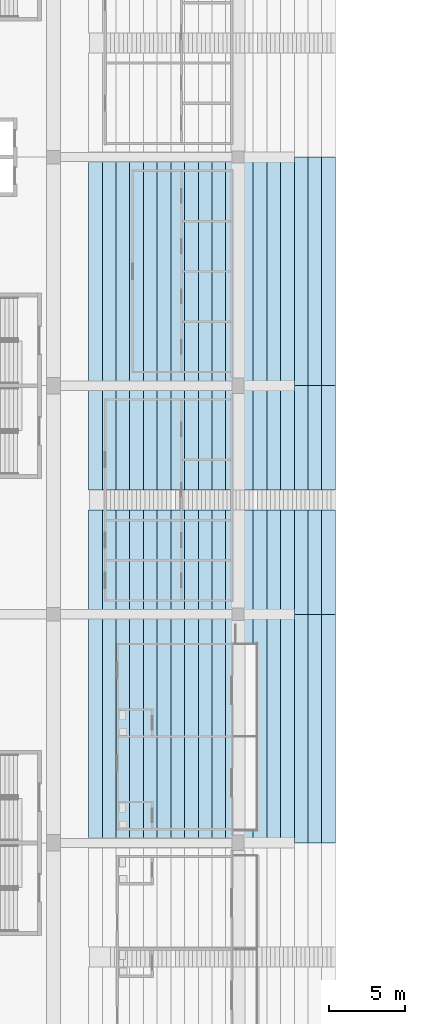
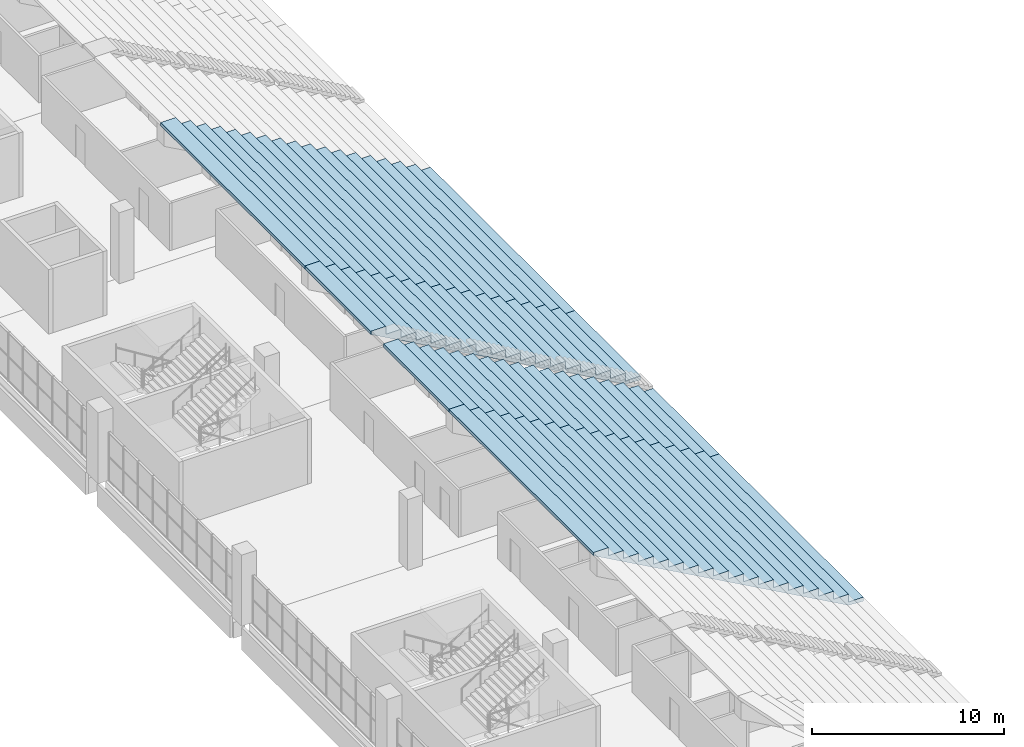
# One storey, part 119 of 249: 3 slabs.
"""IFC4 building model written with IfcOpenShell, lengths in metres."""

from ifc_helpers import new_model, si_unit, direction, frame, origin, place, context, subcontext, project, spatial, faceted_brep, material, layer, layer_set, type_object, element, save


model = new_model("IFC4")

# Units and contexts
model_context = context("Model", 3, precision=1e-05, world=origin(), true_north=direction((0.0, 1.0)))
body_context = subcontext(model_context, "Body", "Model", "MODEL_VIEW")
ifc_project = project(units=[si_unit("LENGTHUNIT", "METRE"), si_unit("AREAUNIT", "SQUARE_METRE"), si_unit("VOLUMEUNIT", "CUBIC_METRE"), si_unit("PLANEANGLEUNIT", "RADIAN"), si_unit("MASSUNIT", "GRAM", prefix="KILO")], contexts=[model_context])

# Site, building, storey
site_placement = place(None, origin())
site = spatial("IfcSite", under=ifc_project, at=site_placement, CompositionType="ELEMENT")
building_placement = place(site_placement, origin())
building = spatial("IfcBuilding", under=site, at=building_placement, Name="Ogive Plaza Stadium", CompositionType="ELEMENT")
storey_placement = place(building_placement, frame((0.0, 0.0, 13.5)))
storey = spatial("IfcBuildingStorey", under=building, at=storey_placement, Name="L03", CompositionType="ELEMENT", Elevation=13.5)

# Slabs
ifc_material = material(Name="Concrete C45/55 precast", Category="concrete")
ifc_layer = layer(ifc_material, 0.699951171875)
ifc_layer_set = layer_set([ifc_layer], Name="Concrete C45/55 precast")
slab_type = type_object("IfcSlabType", Name="Seating tier UT 700", PredefinedType="USERDEFINED", material=ifc_layer_set)
slab_1_placement = place(storey_placement, origin())
element("IfcSlab", 1, at=slab_1_placement, inside=storey, type_object=slab_type, Name="Stand UT B22", ObjectType="SEATING TIER", PredefinedType="USERDEFINED", context=body_context, shape_type="Brep", body=[
    faceted_brep([(-55.5, -22.5, 0.5), (-56.39990234375, -22.5, 0.5), (-56.39990234375, -37.5, 0.5), (-55.5, -37.5, 0.5), (-56.39990234375, -22.5, 0.300048828125), (-55.5, -37.5, 0.25), (-56.39990234375, -37.5, 0.300048828125), (-55.5, -22.5, 0.25), (-56.39990234375, -37.5, 1.0), (-56.39990234375, -22.5, 1.0), (-57.300048828125, -37.5, 1.0), (-57.300048828125, -37.5, 0.800048828125), (-57.300048828125, -37.5, 1.5), (-58.199951171875, -37.5, 1.5), (-58.199951171875, -37.5, 1.300048828125), (-58.199951171875, -37.5, 2.0), (-59.10009765625, -37.5, 2.0), (-59.10009765625, -37.5, 1.800048828125), (-59.10009765625, -37.5, 2.5), (-60.0, -37.5, 2.5), (-60.0, -37.5, 2.300048828125), (-60.0, -37.5, 3.0), (-60.89990234375, -37.5, 3.0), (-60.89990234375, -37.5, 2.800048828125), (-60.89990234375, -37.5, 3.5), (-61.800048828125, -37.5, 3.5), (-61.800048828125, -37.5, 3.300048828125), (-61.800048828125, -37.5, 4.0), (-62.699951171875, -37.5, 4.0), (-62.699951171875, -37.5, 3.800048828125), (-62.699951171875, -37.5, 4.5), (-63.60009765625, -37.5, 4.5), (-63.60009765625, -37.5, 4.300048828125), (-63.60009765625, -37.5, 5.0), (-64.5, -37.5, 5.0), (-64.5, -37.5, 4.800048828125), (-64.5, -37.5, 5.5), (-65.39990234375, -37.5, 5.5), (-65.39990234375, -37.5, 5.300048828125), (-65.39990234375, -37.5, 6.0), (-66.300048828125, -37.5, 6.0), (-66.300048828125, -37.5, 5.800048828125), (-66.300048828125, -37.5, 6.5), (-67.199951171875, -37.5, 6.5), (-67.199951171875, -37.5, 6.300048828125), (-67.199951171875, -37.5, 7.0), (-68.10009765625, -37.5, 7.0), (-68.10009765625, -37.5, 6.800048828125), (-68.10009765625, -37.5, 7.5), (-69.0, -37.5, 7.5), (-69.0, -37.5, 7.300048828125), (-69.0, -37.5, 8.0), (-69.89990234375, -37.5, 8.0), (-69.89990234375, -37.5, 7.800048828125), (-69.89990234375, -37.5, 8.5), (-70.800048828125, -37.5, 8.5), (-70.800048828125, -37.5, 8.300048828125), (-70.800048828125, -37.5, 9.0), (-71.699951171875, -37.5, 9.0), (-71.699951171875, -37.5, 8.800048828125), (-57.300048828125, -22.5, 1.0), (-57.300048828125, -22.5, 0.800048828125), (-58.199951171875, -22.5, 1.5), (-57.300048828125, -22.5, 1.5), (-58.199951171875, -22.5, 1.300048828125), (-59.10009765625, -22.5, 2.0), (-58.199951171875, -22.5, 2.0), (-59.10009765625, -22.5, 1.800048828125), (-60.0, -22.5, 2.5), (-59.10009765625, -22.5, 2.5), (-60.0, -22.5, 2.300048828125), (-60.89990234375, -22.5, 3.0), (-60.0, -22.5, 3.0), (-60.89990234375, -22.5, 2.800048828125), (-61.800048828125, -22.5, 3.5), (-60.89990234375, -22.5, 3.5), (-61.800048828125, -22.5, 3.300048828125), (-62.699951171875, -22.5, 4.0), (-61.800048828125, -22.5, 4.0), (-62.699951171875, -22.5, 3.800048828125), (-63.60009765625, -22.5, 4.5), (-62.699951171875, -22.5, 4.5), (-63.60009765625, -22.5, 4.300048828125), (-64.5, -22.5, 5.0), (-63.60009765625, -22.5, 5.0), (-64.5, -22.5, 4.800048828125), (-65.39990234375, -22.5, 5.5), (-64.5, -22.5, 5.5), (-65.39990234375, -22.5, 5.300048828125), (-66.300048828125, -22.5, 6.0), (-65.39990234375, -22.5, 6.0), (-66.300048828125, -22.5, 5.800048828125), (-67.199951171875, -22.5, 6.5), (-66.300048828125, -22.5, 6.5), (-67.199951171875, -22.5, 6.300048828125), (-68.10009765625, -22.5, 7.0), (-67.199951171875, -22.5, 7.0), (-68.10009765625, -22.5, 6.800048828125), (-69.0, -22.5, 7.5), (-68.10009765625, -22.5, 7.5), (-69.0, -22.5, 7.300048828125), (-69.89990234375, -22.5, 8.0), (-69.0, -22.5, 8.0), (-69.89990234375, -22.5, 7.800048828125), (-70.800048828125, -22.5, 8.5), (-69.89990234375, -22.5, 8.5), (-70.800048828125, -22.5, 8.300048828125), (-71.699951171875, -22.5, 9.0), (-70.800048828125, -22.5, 9.0), (-71.699951171875, -22.5, 8.800048828125)], [[[0, 1, 2]], [[2, 3, 0]], [[4, 5, 6]], [[4, 7, 5]], [[8, 2, 1]], [[1, 9, 8]], [[6, 5, 3]], [[6, 3, 2]], [[2, 8, 10]], [[10, 11, 6]], [[6, 2, 10]], [[10, 12, 13]], [[13, 14, 11]], [[11, 10, 13]], [[13, 15, 16]], [[16, 17, 14]], [[14, 13, 16]], [[16, 18, 19]], [[19, 20, 17]], [[17, 16, 19]], [[19, 21, 22]], [[22, 23, 20]], [[20, 19, 22]], [[22, 24, 25]], [[25, 26, 23]], [[23, 22, 25]], [[25, 27, 28]], [[28, 29, 26]], [[26, 25, 28]], [[28, 30, 31]], [[31, 32, 29]], [[29, 28, 31]], [[31, 33, 34]], [[34, 35, 32]], [[32, 31, 34]], [[34, 36, 37]], [[37, 38, 35]], [[35, 34, 37]], [[37, 39, 40]], [[40, 41, 38]], [[38, 37, 40]], [[40, 42, 43]], [[43, 44, 41]], [[41, 40, 43]], [[43, 45, 46]], [[46, 47, 44]], [[44, 43, 46]], [[46, 48, 49]], [[49, 50, 47]], [[47, 46, 49]], [[49, 51, 52]], [[52, 53, 50]], [[50, 49, 52]], [[52, 54, 55]], [[55, 56, 53]], [[53, 52, 55]], [[55, 57, 58]], [[58, 59, 56]], [[56, 55, 58]], [[3, 5, 7]], [[7, 0, 3]], [[0, 7, 4]], [[4, 1, 0]], [[60, 9, 1]], [[1, 4, 61]], [[61, 60, 1]], [[62, 63, 60]], [[60, 61, 64]], [[64, 62, 60]], [[65, 66, 62]], [[62, 64, 67]], [[67, 65, 62]], [[68, 69, 65]], [[65, 67, 70]], [[70, 68, 65]], [[71, 72, 68]], [[68, 70, 73]], [[73, 71, 68]], [[74, 75, 71]], [[71, 73, 76]], [[76, 74, 71]], [[77, 78, 74]], [[74, 76, 79]], [[79, 77, 74]], [[80, 81, 77]], [[77, 79, 82]], [[82, 80, 77]], [[83, 84, 80]], [[80, 82, 85]], [[85, 83, 80]], [[86, 87, 83]], [[83, 85, 88]], [[88, 86, 83]], [[89, 90, 86]], [[86, 88, 91]], [[91, 89, 86]], [[92, 93, 89]], [[89, 91, 94]], [[94, 92, 89]], [[95, 96, 92]], [[92, 94, 97]], [[97, 95, 92]], [[98, 99, 95]], [[95, 97, 100]], [[100, 98, 95]], [[101, 102, 98]], [[98, 100, 103]], [[103, 101, 98]], [[104, 105, 101]], [[101, 103, 106]], [[106, 104, 101]], [[107, 108, 104]], [[104, 106, 109]], [[109, 107, 104]], [[9, 60, 10]], [[10, 8, 9]], [[61, 6, 11]], [[61, 4, 6]], [[64, 11, 14]], [[64, 61, 11]], [[67, 14, 17]], [[67, 64, 14]], [[70, 17, 20]], [[70, 67, 17]], [[73, 20, 23]], [[73, 70, 20]], [[76, 23, 26]], [[76, 73, 23]], [[79, 26, 29]], [[79, 76, 26]], [[82, 29, 32]], [[82, 79, 29]], [[85, 32, 35]], [[85, 82, 32]], [[88, 35, 38]], [[88, 85, 35]], [[91, 38, 41]], [[91, 88, 38]], [[94, 41, 44]], [[94, 91, 41]], [[97, 44, 47]], [[97, 94, 44]], [[100, 47, 50]], [[100, 97, 47]], [[12, 10, 60]], [[60, 63, 12]], [[63, 62, 13]], [[13, 12, 63]], [[15, 13, 62]], [[62, 66, 15]], [[66, 65, 16]], [[16, 15, 66]], [[18, 16, 65]], [[65, 69, 18]], [[69, 68, 19]], [[19, 18, 69]], [[21, 19, 68]], [[68, 72, 21]], [[72, 71, 22]], [[22, 21, 72]], [[24, 22, 71]], [[71, 75, 24]], [[75, 74, 25]], [[25, 24, 75]], [[27, 25, 74]], [[74, 78, 27]], [[78, 77, 28]], [[28, 27, 78]], [[30, 28, 77]], [[77, 81, 30]], [[81, 80, 31]], [[31, 30, 81]], [[33, 31, 80]], [[80, 84, 33]], [[84, 83, 34]], [[34, 33, 84]], [[36, 34, 83]], [[83, 87, 36]], [[87, 86, 37]], [[37, 36, 87]], [[39, 37, 86]], [[86, 90, 39]], [[90, 89, 40]], [[40, 39, 90]], [[42, 40, 89]], [[89, 93, 42]], [[93, 92, 43]], [[43, 42, 93]], [[45, 43, 92]], [[92, 96, 45]], [[96, 95, 46]], [[46, 45, 96]], [[48, 46, 95]], [[95, 99, 48]], [[99, 98, 49]], [[49, 48, 99]], [[51, 49, 98]], [[98, 102, 51]], [[102, 101, 52]], [[52, 51, 102]], [[103, 50, 53]], [[103, 100, 50]], [[106, 53, 56]], [[106, 103, 53]], [[109, 56, 59]], [[109, 106, 56]], [[54, 52, 101]], [[101, 105, 54]], [[105, 104, 55]], [[55, 54, 105]], [[57, 55, 104]], [[104, 108, 57]], [[108, 107, 58]], [[58, 57, 108]], [[107, 109, 59]], [[59, 58, 107]]]),
])
slab_2_placement = place(storey_placement, origin())
element("IfcSlab", 2, at=slab_2_placement, inside=storey, type_object=slab_type, Name="Stand UT B23", ObjectType="SEATING TIER", PredefinedType="USERDEFINED", context=body_context, shape_type="Brep", body=[
    faceted_brep([(-55.5, -15.64990234375, 0.5), (-56.39990234375, -15.64990234375, 0.5), (-56.39990234375, -22.5, 0.5), (-55.5, -22.5, 0.5), (-55.5, -7.5, 0.5), (-56.39990234375, -7.5, 0.5), (-56.39990234375, -14.35009765625, 0.5), (-55.5, -14.35009765625, 0.5), (-56.39990234375, -15.64990234375, 0.300048828125), (-55.5, -22.5, 0.25), (-56.39990234375, -22.5, 0.300048828125), (-55.5, -15.64990234375, 0.25), (-56.39990234375, -7.5, 0.300048828125), (-55.5, -14.35009765625, 0.25), (-56.39990234375, -14.35009765625, 0.300048828125), (-55.5, -7.5, 0.25), (-56.39990234375, -22.5, 1.0), (-56.39990234375, -15.64990234375, 1.0), (-56.39990234375, -14.35009765625, 1.0), (-56.39990234375, -7.5, 1.0), (-57.300048828125, -22.5, 1.0), (-57.300048828125, -22.5, 0.800048828125), (-57.300048828125, -22.5, 1.5), (-58.199951171875, -22.5, 1.5), (-58.199951171875, -22.5, 1.300048828125), (-58.199951171875, -22.5, 2.0), (-59.10009765625, -22.5, 2.0), (-59.10009765625, -22.5, 1.800048828125), (-59.10009765625, -22.5, 2.5), (-60.0, -22.5, 2.5), (-60.0, -22.5, 2.300048828125), (-60.0, -22.5, 3.0), (-60.89990234375, -22.5, 3.0), (-60.89990234375, -22.5, 2.800048828125), (-60.89990234375, -22.5, 3.5), (-61.800048828125, -22.5, 3.5), (-61.800048828125, -22.5, 3.300048828125), (-61.800048828125, -22.5, 4.0), (-62.699951171875, -22.5, 4.0), (-62.699951171875, -22.5, 3.800048828125), (-62.699951171875, -22.5, 4.5), (-63.60009765625, -22.5, 4.5), (-63.60009765625, -22.5, 4.300048828125), (-63.60009765625, -22.5, 5.0), (-64.5, -22.5, 5.0), (-64.5, -22.5, 4.800048828125), (-64.5, -22.5, 5.5), (-65.39990234375, -22.5, 5.5), (-65.39990234375, -22.5, 5.300048828125), (-65.39990234375, -22.5, 6.0), (-66.300048828125, -22.5, 6.0), (-66.300048828125, -22.5, 5.800048828125), (-66.300048828125, -22.5, 6.5), (-67.199951171875, -22.5, 6.5), (-67.199951171875, -22.5, 6.300048828125), (-67.199951171875, -22.5, 7.0), (-68.10009765625, -22.5, 7.0), (-68.10009765625, -22.5, 6.800048828125), (-68.10009765625, -22.5, 7.5), (-69.0, -22.5, 7.5), (-69.0, -22.5, 7.300048828125), (-69.0, -22.5, 8.0), (-69.89990234375, -22.5, 8.0), (-69.89990234375, -22.5, 7.800048828125), (-69.89990234375, -22.5, 8.5), (-70.800048828125, -22.5, 8.5), (-70.800048828125, -22.5, 8.300048828125), (-70.800048828125, -22.5, 9.0), (-71.699951171875, -22.5, 9.0), (-71.699951171875, -22.5, 8.800048828125), (-57.300048828125, -15.64990234375, 1.0), (-57.300048828125, -15.64990234375, 0.800048828125), (-58.199951171875, -15.64990234375, 1.5), (-57.300048828125, -15.64990234375, 1.5), (-58.199951171875, -15.64990234375, 1.300048828125), (-59.10009765625, -15.64990234375, 2.0), (-58.199951171875, -15.64990234375, 2.0), (-59.10009765625, -15.64990234375, 1.800048828125), (-60.0, -15.64990234375, 2.5), (-59.10009765625, -15.64990234375, 2.5), (-60.0, -15.64990234375, 2.300048828125), (-60.89990234375, -15.64990234375, 3.0), (-60.0, -15.64990234375, 3.0), (-60.89990234375, -15.64990234375, 2.800048828125), (-61.800048828125, -15.64990234375, 3.5), (-60.89990234375, -15.64990234375, 3.5), (-61.800048828125, -15.64990234375, 3.300048828125), (-62.699951171875, -15.64990234375, 4.0), (-61.800048828125, -15.64990234375, 4.0), (-62.699951171875, -15.64990234375, 3.800048828125), (-63.60009765625, -15.64990234375, 4.5), (-62.699951171875, -15.64990234375, 4.5), (-63.60009765625, -15.64990234375, 4.300048828125), (-64.5, -15.64990234375, 5.0), (-63.60009765625, -15.64990234375, 5.0), (-64.5, -15.64990234375, 4.800048828125), (-65.39990234375, -15.64990234375, 5.5), (-64.5, -15.64990234375, 5.5), (-65.39990234375, -15.64990234375, 5.300048828125), (-66.300048828125, -15.64990234375, 6.0), (-65.39990234375, -15.64990234375, 6.0), (-66.300048828125, -15.64990234375, 5.800048828125), (-67.199951171875, -15.64990234375, 6.5), (-66.300048828125, -15.64990234375, 6.5), (-67.199951171875, -15.64990234375, 6.300048828125), (-68.10009765625, -15.64990234375, 7.0), (-67.199951171875, -15.64990234375, 7.0), (-68.10009765625, -15.64990234375, 6.800048828125), (-69.0, -15.64990234375, 7.5), (-68.10009765625, -15.64990234375, 7.5), (-69.0, -15.64990234375, 7.300048828125), (-69.89990234375, -15.64990234375, 8.0), (-69.0, -15.64990234375, 8.0), (-69.89990234375, -15.64990234375, 7.800048828125), (-70.800048828125, -15.64990234375, 8.5), (-69.89990234375, -15.64990234375, 8.5), (-70.800048828125, -15.64990234375, 8.300048828125), (-71.699951171875, -15.64990234375, 9.0), (-70.800048828125, -15.64990234375, 9.0), (-71.699951171875, -15.64990234375, 8.800048828125), (-57.300048828125, -14.35009765625, 1.0), (-57.300048828125, -14.35009765625, 0.800048828125), (-57.300048828125, -14.35009765625, 1.5), (-58.199951171875, -14.35009765625, 1.5), (-58.199951171875, -14.35009765625, 1.300048828125), (-58.199951171875, -14.35009765625, 2.0), (-59.10009765625, -14.35009765625, 2.0), (-59.10009765625, -14.35009765625, 1.800048828125), (-59.10009765625, -14.35009765625, 2.5), (-60.0, -14.35009765625, 2.5), (-60.0, -14.35009765625, 2.300048828125), (-60.0, -14.35009765625, 3.0), (-60.89990234375, -14.35009765625, 3.0), (-60.89990234375, -14.35009765625, 2.800048828125), (-60.89990234375, -14.35009765625, 3.5), (-61.800048828125, -14.35009765625, 3.5), (-61.800048828125, -14.35009765625, 3.300048828125), (-61.800048828125, -14.35009765625, 4.0), (-62.699951171875, -14.35009765625, 4.0), (-62.699951171875, -14.35009765625, 3.800048828125), (-62.699951171875, -14.35009765625, 4.5), (-63.60009765625, -14.35009765625, 4.5), (-63.60009765625, -14.35009765625, 4.300048828125), (-63.60009765625, -14.35009765625, 5.0), (-64.5, -14.35009765625, 5.0), (-64.5, -14.35009765625, 4.800048828125), (-64.5, -14.35009765625, 5.5), (-65.39990234375, -14.35009765625, 5.5), (-65.39990234375, -14.35009765625, 5.300048828125), (-65.39990234375, -14.35009765625, 6.0), (-66.300048828125, -14.35009765625, 6.0), (-66.300048828125, -14.35009765625, 5.800048828125), (-66.300048828125, -14.35009765625, 6.5), (-67.199951171875, -14.35009765625, 6.5), (-67.199951171875, -14.35009765625, 6.300048828125), (-67.199951171875, -14.35009765625, 7.0), (-68.10009765625, -14.35009765625, 7.0), (-68.10009765625, -14.35009765625, 6.800048828125), (-68.10009765625, -14.35009765625, 7.5), (-69.0, -14.35009765625, 7.5), (-69.0, -14.35009765625, 7.300048828125), (-69.0, -14.35009765625, 8.0), (-69.89990234375, -14.35009765625, 8.0), (-69.89990234375, -14.35009765625, 7.800048828125), (-69.89990234375, -14.35009765625, 8.5), (-70.800048828125, -14.35009765625, 8.5), (-70.800048828125, -14.35009765625, 8.300048828125), (-70.800048828125, -14.35009765625, 9.0), (-71.699951171875, -14.35009765625, 9.0), (-71.699951171875, -14.35009765625, 8.800048828125), (-57.300048828125, -7.5, 1.0), (-57.300048828125, -7.5, 0.800048828125), (-58.199951171875, -7.5, 1.5), (-57.300048828125, -7.5, 1.5), (-58.199951171875, -7.5, 1.300048828125), (-59.10009765625, -7.5, 2.0), (-58.199951171875, -7.5, 2.0), (-59.10009765625, -7.5, 1.800048828125), (-60.0, -7.5, 2.5), (-59.10009765625, -7.5, 2.5), (-60.0, -7.5, 2.300048828125), (-60.89990234375, -7.5, 3.0), (-60.0, -7.5, 3.0), (-60.89990234375, -7.5, 2.800048828125), (-61.800048828125, -7.5, 3.5), (-60.89990234375, -7.5, 3.5), (-61.800048828125, -7.5, 3.300048828125), (-62.699951171875, -7.5, 4.0), (-61.800048828125, -7.5, 4.0), (-62.699951171875, -7.5, 3.800048828125), (-63.60009765625, -7.5, 4.5), (-62.699951171875, -7.5, 4.5), (-63.60009765625, -7.5, 4.300048828125), (-64.5, -7.5, 5.0), (-63.60009765625, -7.5, 5.0), (-64.5, -7.5, 4.800048828125), (-65.39990234375, -7.5, 5.5), (-64.5, -7.5, 5.5), (-65.39990234375, -7.5, 5.300048828125), (-66.300048828125, -7.5, 6.0), (-65.39990234375, -7.5, 6.0), (-66.300048828125, -7.5, 5.800048828125), (-67.199951171875, -7.5, 6.5), (-66.300048828125, -7.5, 6.5), (-67.199951171875, -7.5, 6.300048828125), (-68.10009765625, -7.5, 7.0), (-67.199951171875, -7.5, 7.0), (-68.10009765625, -7.5, 6.800048828125), (-69.0, -7.5, 7.5), (-68.10009765625, -7.5, 7.5), (-69.0, -7.5, 7.300048828125), (-69.89990234375, -7.5, 8.0), (-69.0, -7.5, 8.0), (-69.89990234375, -7.5, 7.800048828125), (-70.800048828125, -7.5, 8.5), (-69.89990234375, -7.5, 8.5), (-70.800048828125, -7.5, 8.300048828125), (-71.699951171875, -7.5, 9.0), (-70.800048828125, -7.5, 9.0), (-71.699951171875, -7.5, 8.800048828125)], [[[0, 1, 2]], [[2, 3, 0]], [[4, 5, 6]], [[6, 7, 4]], [[8, 9, 10]], [[8, 11, 9]], [[12, 13, 14]], [[12, 15, 13]], [[16, 2, 1]], [[1, 17, 16]], [[18, 6, 5]], [[5, 19, 18]], [[10, 9, 3]], [[10, 3, 2]], [[2, 16, 20]], [[20, 21, 10]], [[10, 2, 20]], [[20, 22, 23]], [[23, 24, 21]], [[21, 20, 23]], [[23, 25, 26]], [[26, 27, 24]], [[24, 23, 26]], [[26, 28, 29]], [[29, 30, 27]], [[27, 26, 29]], [[29, 31, 32]], [[32, 33, 30]], [[30, 29, 32]], [[32, 34, 35]], [[35, 36, 33]], [[33, 32, 35]], [[35, 37, 38]], [[38, 39, 36]], [[36, 35, 38]], [[38, 40, 41]], [[41, 42, 39]], [[39, 38, 41]], [[41, 43, 44]], [[44, 45, 42]], [[42, 41, 44]], [[44, 46, 47]], [[47, 48, 45]], [[45, 44, 47]], [[47, 49, 50]], [[50, 51, 48]], [[48, 47, 50]], [[50, 52, 53]], [[53, 54, 51]], [[51, 50, 53]], [[53, 55, 56]], [[56, 57, 54]], [[54, 53, 56]], [[56, 58, 59]], [[59, 60, 57]], [[57, 56, 59]], [[59, 61, 62]], [[62, 63, 60]], [[60, 59, 62]], [[62, 64, 65]], [[65, 66, 63]], [[63, 62, 65]], [[65, 67, 68]], [[68, 69, 66]], [[66, 65, 68]], [[3, 9, 11]], [[11, 0, 3]], [[7, 13, 15]], [[15, 4, 7]], [[0, 11, 8]], [[8, 1, 0]], [[70, 17, 1]], [[1, 8, 71]], [[71, 70, 1]], [[72, 73, 70]], [[70, 71, 74]], [[74, 72, 70]], [[75, 76, 72]], [[72, 74, 77]], [[77, 75, 72]], [[78, 79, 75]], [[75, 77, 80]], [[80, 78, 75]], [[81, 82, 78]], [[78, 80, 83]], [[83, 81, 78]], [[84, 85, 81]], [[81, 83, 86]], [[86, 84, 81]], [[87, 88, 84]], [[84, 86, 89]], [[89, 87, 84]], [[90, 91, 87]], [[87, 89, 92]], [[92, 90, 87]], [[93, 94, 90]], [[90, 92, 95]], [[95, 93, 90]], [[96, 97, 93]], [[93, 95, 98]], [[98, 96, 93]], [[99, 100, 96]], [[96, 98, 101]], [[101, 99, 96]], [[102, 103, 99]], [[99, 101, 104]], [[104, 102, 99]], [[105, 106, 102]], [[102, 104, 107]], [[107, 105, 102]], [[108, 109, 105]], [[105, 107, 110]], [[110, 108, 105]], [[111, 112, 108]], [[108, 110, 113]], [[113, 111, 108]], [[114, 115, 111]], [[111, 113, 116]], [[116, 114, 111]], [[117, 118, 114]], [[114, 116, 119]], [[119, 117, 114]], [[14, 13, 7]], [[14, 7, 6]], [[6, 18, 120]], [[120, 121, 14]], [[14, 6, 120]], [[120, 122, 123]], [[123, 124, 121]], [[121, 120, 123]], [[123, 125, 126]], [[126, 127, 124]], [[124, 123, 126]], [[126, 128, 129]], [[129, 130, 127]], [[127, 126, 129]], [[129, 131, 132]], [[132, 133, 130]], [[130, 129, 132]], [[132, 134, 135]], [[135, 136, 133]], [[133, 132, 135]], [[135, 137, 138]], [[138, 139, 136]], [[136, 135, 138]], [[138, 140, 141]], [[141, 142, 139]], [[139, 138, 141]], [[141, 143, 144]], [[144, 145, 142]], [[142, 141, 144]], [[144, 146, 147]], [[147, 148, 145]], [[145, 144, 147]], [[147, 149, 150]], [[150, 151, 148]], [[148, 147, 150]], [[150, 152, 153]], [[153, 154, 151]], [[151, 150, 153]], [[153, 155, 156]], [[156, 157, 154]], [[154, 153, 156]], [[156, 158, 159]], [[159, 160, 157]], [[157, 156, 159]], [[159, 161, 162]], [[162, 163, 160]], [[160, 159, 162]], [[162, 164, 165]], [[165, 166, 163]], [[163, 162, 165]], [[165, 167, 168]], [[168, 169, 166]], [[166, 165, 168]], [[4, 15, 12]], [[12, 5, 4]], [[170, 19, 5]], [[5, 12, 171]], [[171, 170, 5]], [[172, 173, 170]], [[170, 171, 174]], [[174, 172, 170]], [[175, 176, 172]], [[172, 174, 177]], [[177, 175, 172]], [[178, 179, 175]], [[175, 177, 180]], [[180, 178, 175]], [[181, 182, 178]], [[178, 180, 183]], [[183, 181, 178]], [[184, 185, 181]], [[181, 183, 186]], [[186, 184, 181]], [[187, 188, 184]], [[184, 186, 189]], [[189, 187, 184]], [[190, 191, 187]], [[187, 189, 192]], [[192, 190, 187]], [[193, 194, 190]], [[190, 192, 195]], [[195, 193, 190]], [[196, 197, 193]], [[193, 195, 198]], [[198, 196, 193]], [[199, 200, 196]], [[196, 198, 201]], [[201, 199, 196]], [[202, 203, 199]], [[199, 201, 204]], [[204, 202, 199]], [[205, 206, 202]], [[202, 204, 207]], [[207, 205, 202]], [[208, 209, 205]], [[205, 207, 210]], [[210, 208, 205]], [[211, 212, 208]], [[208, 210, 213]], [[213, 211, 208]], [[214, 215, 211]], [[211, 213, 216]], [[216, 214, 211]], [[217, 218, 214]], [[214, 216, 219]], [[219, 217, 214]], [[17, 70, 20]], [[20, 16, 17]], [[19, 170, 120]], [[120, 18, 19]], [[71, 10, 21]], [[71, 8, 10]], [[171, 14, 121]], [[171, 12, 14]], [[74, 21, 24]], [[74, 71, 21]], [[174, 121, 124]], [[174, 171, 121]], [[77, 24, 27]], [[77, 74, 24]], [[177, 124, 127]], [[177, 174, 124]], [[80, 27, 30]], [[80, 77, 27]], [[180, 127, 130]], [[180, 177, 127]], [[83, 30, 33]], [[83, 80, 30]], [[183, 130, 133]], [[183, 180, 130]], [[86, 33, 36]], [[86, 83, 33]], [[186, 133, 136]], [[186, 183, 133]], [[89, 36, 39]], [[89, 86, 36]], [[189, 136, 139]], [[189, 186, 136]], [[92, 39, 42]], [[92, 89, 39]], [[192, 139, 142]], [[192, 189, 139]], [[95, 42, 45]], [[95, 92, 42]], [[195, 142, 145]], [[195, 192, 142]], [[98, 45, 48]], [[98, 95, 45]], [[198, 145, 148]], [[198, 195, 145]], [[101, 48, 51]], [[101, 98, 48]], [[201, 148, 151]], [[201, 198, 148]], [[104, 51, 54]], [[104, 101, 51]], [[204, 151, 154]], [[204, 201, 151]], [[107, 54, 57]], [[107, 104, 54]], [[207, 154, 157]], [[207, 204, 154]], [[110, 57, 60]], [[110, 107, 57]], [[210, 157, 160]], [[210, 207, 157]], [[22, 20, 70]], [[70, 73, 22]], [[122, 120, 170]], [[170, 173, 122]], [[73, 72, 23]], [[23, 22, 73]], [[173, 172, 123]], [[123, 122, 173]], [[25, 23, 72]], [[72, 76, 25]], [[125, 123, 172]], [[172, 176, 125]], [[76, 75, 26]], [[26, 25, 76]], [[176, 175, 126]], [[126, 125, 176]], [[28, 26, 75]], [[75, 79, 28]], [[128, 126, 175]], [[175, 179, 128]], [[79, 78, 29]], [[29, 28, 79]], [[179, 178, 129]], [[129, 128, 179]], [[31, 29, 78]], [[78, 82, 31]], [[131, 129, 178]], [[178, 182, 131]], [[82, 81, 32]], [[32, 31, 82]], [[182, 181, 132]], [[132, 131, 182]], [[34, 32, 81]], [[81, 85, 34]], [[134, 132, 181]], [[181, 185, 134]], [[85, 84, 35]], [[35, 34, 85]], [[185, 184, 135]], [[135, 134, 185]], [[37, 35, 84]], [[84, 88, 37]], [[137, 135, 184]], [[184, 188, 137]], [[88, 87, 38]], [[38, 37, 88]], [[188, 187, 138]], [[138, 137, 188]], [[40, 38, 87]], [[87, 91, 40]], [[140, 138, 187]], [[187, 191, 140]], [[91, 90, 41]], [[41, 40, 91]], [[191, 190, 141]], [[141, 140, 191]], [[43, 41, 90]], [[90, 94, 43]], [[143, 141, 190]], [[190, 194, 143]], [[94, 93, 44]], [[44, 43, 94]], [[194, 193, 144]], [[144, 143, 194]], [[46, 44, 93]], [[93, 97, 46]], [[146, 144, 193]], [[193, 197, 146]], [[97, 96, 47]], [[47, 46, 97]], [[197, 196, 147]], [[147, 146, 197]], [[49, 47, 96]], [[96, 100, 49]], [[149, 147, 196]], [[196, 200, 149]], [[100, 99, 50]], [[50, 49, 100]], [[200, 199, 150]], [[150, 149, 200]], [[52, 50, 99]], [[99, 103, 52]], [[152, 150, 199]], [[199, 203, 152]], [[103, 102, 53]], [[53, 52, 103]], [[203, 202, 153]], [[153, 152, 203]], [[55, 53, 102]], [[102, 106, 55]], [[155, 153, 202]], [[202, 206, 155]], [[106, 105, 56]], [[56, 55, 106]], [[206, 205, 156]], [[156, 155, 206]], [[58, 56, 105]], [[105, 109, 58]], [[158, 156, 205]], [[205, 209, 158]], [[109, 108, 59]], [[59, 58, 109]], [[209, 208, 159]], [[159, 158, 209]], [[61, 59, 108]], [[108, 112, 61]], [[161, 159, 208]], [[208, 212, 161]], [[112, 111, 62]], [[62, 61, 112]], [[212, 211, 162]], [[162, 161, 212]], [[113, 60, 63]], [[113, 110, 60]], [[213, 160, 163]], [[213, 210, 160]], [[116, 63, 66]], [[116, 113, 63]], [[216, 163, 166]], [[216, 213, 163]], [[119, 66, 69]], [[119, 116, 66]], [[219, 166, 169]], [[219, 216, 166]], [[64, 62, 111]], [[111, 115, 64]], [[164, 162, 211]], [[211, 215, 164]], [[115, 114, 65]], [[65, 64, 115]], [[215, 214, 165]], [[165, 164, 215]], [[67, 65, 114]], [[114, 118, 67]], [[167, 165, 214]], [[214, 218, 167]], [[118, 117, 68]], [[68, 67, 118]], [[218, 217, 168]], [[168, 167, 218]], [[117, 119, 69]], [[69, 68, 117]], [[217, 219, 169]], [[169, 168, 217]]]),
])
slab_3_placement = place(storey_placement, origin())
element("IfcSlab", 3, at=slab_3_placement, inside=storey, type_object=slab_type, Name="Stand UT B24", ObjectType="SEATING TIER", PredefinedType="USERDEFINED", context=body_context, shape_type="Brep", body=[
    faceted_brep([(-55.5, 7.5, 0.5), (-56.39990234375, 7.5, 0.5), (-56.39990234375, -7.5, 0.5), (-55.5, -7.5, 0.5), (-56.39990234375, 7.5, 0.300048828125), (-55.5, -7.5, 0.25), (-56.39990234375, -7.5, 0.300048828125), (-55.5, 7.5, 0.25), (-56.39990234375, -7.5, 1.0), (-56.39990234375, 7.5, 1.0), (-57.300048828125, -7.5, 1.0), (-57.300048828125, -7.5, 0.800048828125), (-57.300048828125, -7.5, 1.5), (-58.199951171875, -7.5, 1.5), (-58.199951171875, -7.5, 1.300048828125), (-58.199951171875, -7.5, 2.0), (-59.10009765625, -7.5, 2.0), (-59.10009765625, -7.5, 1.800048828125), (-59.10009765625, -7.5, 2.5), (-60.0, -7.5, 2.5), (-60.0, -7.5, 2.300048828125), (-60.0, -7.5, 3.0), (-60.89990234375, -7.5, 3.0), (-60.89990234375, -7.5, 2.800048828125), (-60.89990234375, -7.5, 3.5), (-61.800048828125, -7.5, 3.5), (-61.800048828125, -7.5, 3.300048828125), (-61.800048828125, -7.5, 4.0), (-62.699951171875, -7.5, 4.0), (-62.699951171875, -7.5, 3.800048828125), (-62.699951171875, -7.5, 4.5), (-63.60009765625, -7.5, 4.5), (-63.60009765625, -7.5, 4.300048828125), (-63.60009765625, -7.5, 5.0), (-64.5, -7.5, 5.0), (-64.5, -7.5, 4.800048828125), (-64.5, -7.5, 5.5), (-65.39990234375, -7.5, 5.5), (-65.39990234375, -7.5, 5.300048828125), (-65.39990234375, -7.5, 6.0), (-66.300048828125, -7.5, 6.0), (-66.300048828125, -7.5, 5.800048828125), (-66.300048828125, -7.5, 6.5), (-67.199951171875, -7.5, 6.5), (-67.199951171875, -7.5, 6.300048828125), (-67.199951171875, -7.5, 7.0), (-68.10009765625, -7.5, 7.0), (-68.10009765625, -7.5, 6.800048828125), (-68.10009765625, -7.5, 7.5), (-69.0, -7.5, 7.5), (-69.0, -7.5, 7.300048828125), (-69.0, -7.5, 8.0), (-69.89990234375, -7.5, 8.0), (-69.89990234375, -7.5, 7.800048828125), (-69.89990234375, -7.5, 8.5), (-70.800048828125, -7.5, 8.5), (-70.800048828125, -7.5, 8.300048828125), (-70.800048828125, -7.5, 9.0), (-71.699951171875, -7.5, 9.0), (-71.699951171875, -7.5, 8.800048828125), (-57.300048828125, 7.5, 1.0), (-57.300048828125, 7.5, 0.800048828125), (-58.199951171875, 7.5, 1.5), (-57.300048828125, 7.5, 1.5), (-58.199951171875, 7.5, 1.300048828125), (-59.10009765625, 7.5, 2.0), (-58.199951171875, 7.5, 2.0), (-59.10009765625, 7.5, 1.800048828125), (-60.0, 7.5, 2.5), (-59.10009765625, 7.5, 2.5), (-60.0, 7.5, 2.300048828125), (-60.89990234375, 7.5, 3.0), (-60.0, 7.5, 3.0), (-60.89990234375, 7.5, 2.800048828125), (-61.800048828125, 7.5, 3.5), (-60.89990234375, 7.5, 3.5), (-61.800048828125, 7.5, 3.300048828125), (-62.699951171875, 7.5, 4.0), (-61.800048828125, 7.5, 4.0), (-62.699951171875, 7.5, 3.800048828125), (-63.60009765625, 7.5, 4.5), (-62.699951171875, 7.5, 4.5), (-63.60009765625, 7.5, 4.300048828125), (-64.5, 7.5, 5.0), (-63.60009765625, 7.5, 5.0), (-64.5, 7.5, 4.800048828125), (-65.39990234375, 7.5, 5.5), (-64.5, 7.5, 5.5), (-65.39990234375, 7.5, 5.300048828125), (-66.300048828125, 7.5, 6.0), (-65.39990234375, 7.5, 6.0), (-66.300048828125, 7.5, 5.800048828125), (-67.199951171875, 7.5, 6.5), (-66.300048828125, 7.5, 6.5), (-67.199951171875, 7.5, 6.300048828125), (-68.10009765625, 7.5, 7.0), (-67.199951171875, 7.5, 7.0), (-68.10009765625, 7.5, 6.800048828125), (-69.0, 7.5, 7.5), (-68.10009765625, 7.5, 7.5), (-69.0, 7.5, 7.300048828125), (-69.89990234375, 7.5, 8.0), (-69.0, 7.5, 8.0), (-69.89990234375, 7.5, 7.800048828125), (-70.800048828125, 7.5, 8.5), (-69.89990234375, 7.5, 8.5), (-70.800048828125, 7.5, 8.300048828125), (-71.699951171875, 7.5, 9.0), (-70.800048828125, 7.5, 9.0), (-71.699951171875, 7.5, 8.800048828125)], [[[0, 1, 2]], [[2, 3, 0]], [[4, 5, 6]], [[4, 7, 5]], [[8, 2, 1]], [[1, 9, 8]], [[6, 5, 3]], [[6, 3, 2]], [[2, 8, 10]], [[10, 11, 6]], [[6, 2, 10]], [[10, 12, 13]], [[13, 14, 11]], [[11, 10, 13]], [[13, 15, 16]], [[16, 17, 14]], [[14, 13, 16]], [[16, 18, 19]], [[19, 20, 17]], [[17, 16, 19]], [[19, 21, 22]], [[22, 23, 20]], [[20, 19, 22]], [[22, 24, 25]], [[25, 26, 23]], [[23, 22, 25]], [[25, 27, 28]], [[28, 29, 26]], [[26, 25, 28]], [[28, 30, 31]], [[31, 32, 29]], [[29, 28, 31]], [[31, 33, 34]], [[34, 35, 32]], [[32, 31, 34]], [[34, 36, 37]], [[37, 38, 35]], [[35, 34, 37]], [[37, 39, 40]], [[40, 41, 38]], [[38, 37, 40]], [[40, 42, 43]], [[43, 44, 41]], [[41, 40, 43]], [[43, 45, 46]], [[46, 47, 44]], [[44, 43, 46]], [[46, 48, 49]], [[49, 50, 47]], [[47, 46, 49]], [[49, 51, 52]], [[52, 53, 50]], [[50, 49, 52]], [[52, 54, 55]], [[55, 56, 53]], [[53, 52, 55]], [[55, 57, 58]], [[58, 59, 56]], [[56, 55, 58]], [[3, 5, 7]], [[7, 0, 3]], [[0, 7, 4]], [[4, 1, 0]], [[60, 9, 1]], [[1, 4, 61]], [[61, 60, 1]], [[62, 63, 60]], [[60, 61, 64]], [[64, 62, 60]], [[65, 66, 62]], [[62, 64, 67]], [[67, 65, 62]], [[68, 69, 65]], [[65, 67, 70]], [[70, 68, 65]], [[71, 72, 68]], [[68, 70, 73]], [[73, 71, 68]], [[74, 75, 71]], [[71, 73, 76]], [[76, 74, 71]], [[77, 78, 74]], [[74, 76, 79]], [[79, 77, 74]], [[80, 81, 77]], [[77, 79, 82]], [[82, 80, 77]], [[83, 84, 80]], [[80, 82, 85]], [[85, 83, 80]], [[86, 87, 83]], [[83, 85, 88]], [[88, 86, 83]], [[89, 90, 86]], [[86, 88, 91]], [[91, 89, 86]], [[92, 93, 89]], [[89, 91, 94]], [[94, 92, 89]], [[95, 96, 92]], [[92, 94, 97]], [[97, 95, 92]], [[98, 99, 95]], [[95, 97, 100]], [[100, 98, 95]], [[101, 102, 98]], [[98, 100, 103]], [[103, 101, 98]], [[104, 105, 101]], [[101, 103, 106]], [[106, 104, 101]], [[107, 108, 104]], [[104, 106, 109]], [[109, 107, 104]], [[9, 60, 10]], [[10, 8, 9]], [[61, 6, 11]], [[61, 4, 6]], [[64, 11, 14]], [[64, 61, 11]], [[67, 14, 17]], [[67, 64, 14]], [[70, 17, 20]], [[70, 67, 17]], [[73, 20, 23]], [[73, 70, 20]], [[76, 23, 26]], [[76, 73, 23]], [[79, 26, 29]], [[79, 76, 26]], [[82, 29, 32]], [[82, 79, 29]], [[85, 32, 35]], [[85, 82, 32]], [[88, 35, 38]], [[88, 85, 35]], [[91, 38, 41]], [[91, 88, 38]], [[94, 41, 44]], [[94, 91, 41]], [[97, 44, 47]], [[97, 94, 44]], [[100, 47, 50]], [[100, 97, 47]], [[12, 10, 60]], [[60, 63, 12]], [[63, 62, 13]], [[13, 12, 63]], [[15, 13, 62]], [[62, 66, 15]], [[66, 65, 16]], [[16, 15, 66]], [[18, 16, 65]], [[65, 69, 18]], [[69, 68, 19]], [[19, 18, 69]], [[21, 19, 68]], [[68, 72, 21]], [[72, 71, 22]], [[22, 21, 72]], [[24, 22, 71]], [[71, 75, 24]], [[75, 74, 25]], [[25, 24, 75]], [[27, 25, 74]], [[74, 78, 27]], [[78, 77, 28]], [[28, 27, 78]], [[30, 28, 77]], [[77, 81, 30]], [[81, 80, 31]], [[31, 30, 81]], [[33, 31, 80]], [[80, 84, 33]], [[84, 83, 34]], [[34, 33, 84]], [[36, 34, 83]], [[83, 87, 36]], [[87, 86, 37]], [[37, 36, 87]], [[39, 37, 86]], [[86, 90, 39]], [[90, 89, 40]], [[40, 39, 90]], [[42, 40, 89]], [[89, 93, 42]], [[93, 92, 43]], [[43, 42, 93]], [[45, 43, 92]], [[92, 96, 45]], [[96, 95, 46]], [[46, 45, 96]], [[48, 46, 95]], [[95, 99, 48]], [[99, 98, 49]], [[49, 48, 99]], [[51, 49, 98]], [[98, 102, 51]], [[102, 101, 52]], [[52, 51, 102]], [[103, 50, 53]], [[103, 100, 50]], [[106, 53, 56]], [[106, 103, 53]], [[109, 56, 59]], [[109, 106, 56]], [[54, 52, 101]], [[101, 105, 54]], [[105, 104, 55]], [[55, 54, 105]], [[57, 55, 104]], [[104, 108, 57]], [[108, 107, 58]], [[58, 57, 108]], [[107, 109, 59]], [[59, 58, 107]]]),
])

save(model, "model.ifc")
